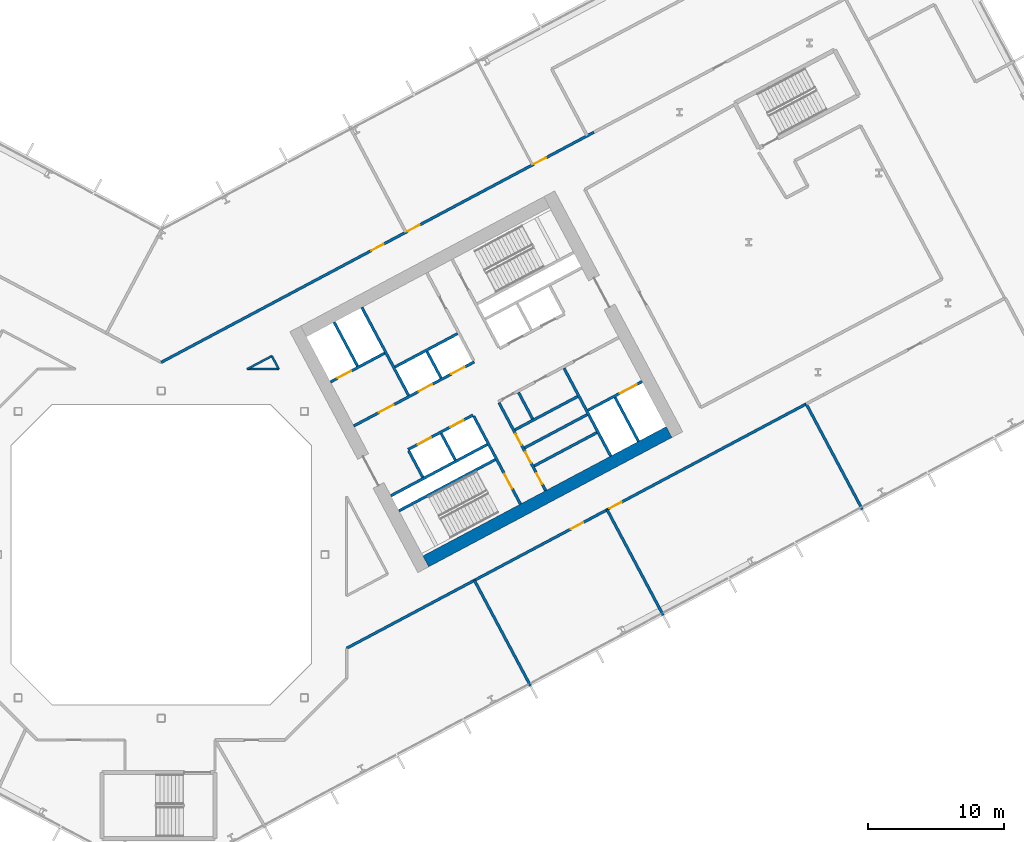
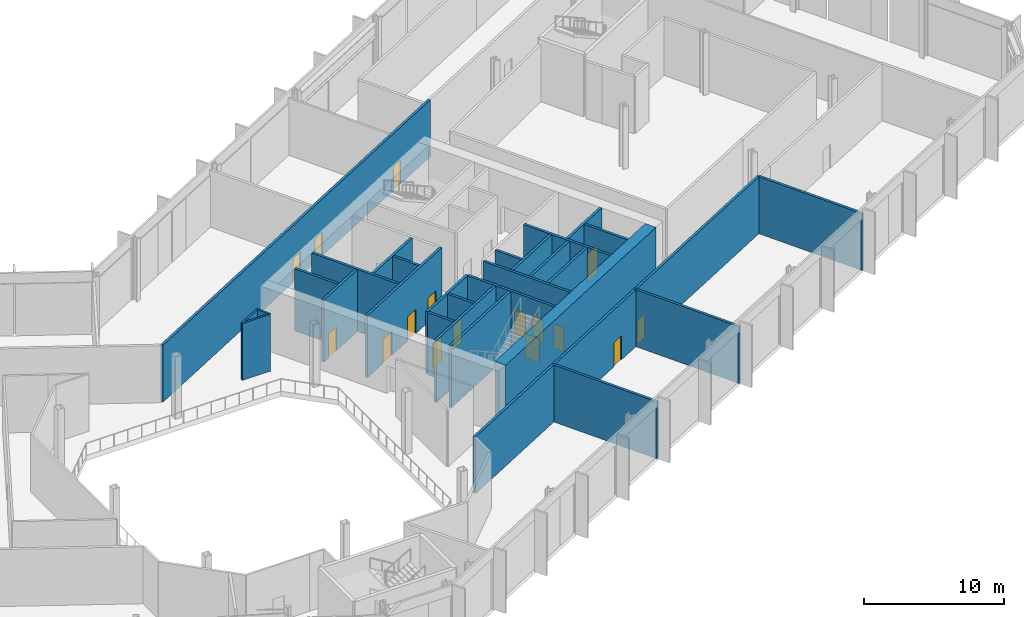
# One storey, part 15 of 31: 29 walls, 16 doors, 16 openings.
"""IFC4 building model written with IfcOpenShell, lengths in metres."""

import ifcopenshell
import ifcopenshell.guid

model = None  # the IFC model being written
_history = None  # IfcOwnerHistory: only IFC2X3 demands one
_inside = {}  # id of a spatial element -> (the spatial element, [elements in it])
_under = {}  # id of a project, library or spatial element -> (it, [spatial elements below it])
_declared = {}  # id of a project -> (the project, [libraries it declares])
_typed = {}  # id of a type object -> (the type object, [elements of that type])
_made_of = {}  # id of a material, layer set ... -> (it, [elements and type objects made of it])


def new_model(schema):
    """Start an empty IFC model of exactly this schema.

    Asked for "IFC4X3", IfcOpenShell would pick the latest addendum, in which some entities
    have other attributes; the version numbers below select the first issue.
    IFC2X3 requires an IfcOwnerHistory on every rooted entity: one is made here for all.
    """
    global model, _history
    if schema == "IFC4X3":
        model = ifcopenshell.file(schema_version=(4, 3, 0, 0))
    else:
        model = ifcopenshell.file(schema=schema)
    _inside.clear()
    _under.clear()
    _declared.clear()
    _typed.clear()
    _made_of.clear()
    _history = None
    if model.schema == "IFC2X3":
        org = make("IfcOrganization", Name="unknown")
        user = make(
            "IfcPersonAndOrganization",
            ThePerson=make("IfcPerson", FamilyName="unknown"),
            TheOrganization=org,
        )
        app = make(
            "IfcApplication",
            ApplicationDeveloper=org,
            Version="unknown",
            ApplicationFullName="unknown",
            ApplicationIdentifier="unknown",
        )
        _history = make(
            "IfcOwnerHistory",
            OwningUser=user,
            OwningApplication=app,
            ChangeAction="ADDED",
            CreationDate=0,
        )
    return model


def make(cls, **values):
    """One entity of the class cls with the attributes given. An attribute that is None is left unset."""
    return model.create_entity(
        cls, **{name: value for name, value in values.items() if value is not None}
    )


def rooted(cls, **values):
    """An entity with a GlobalId (a new one), such as an element, a storey or a relation."""
    return make(cls, GlobalId=ifcopenshell.guid.new(), OwnerHistory=_history, **values)


def si_unit(unit_type, name, prefix=None):
    """IfcSIUnit, for example si_unit("LENGTHUNIT", "METRE", prefix="MILLI")."""
    return make("IfcSIUnit", UnitType=unit_type, Prefix=prefix, Name=name)


def assignment(units):
    """IfcUnitAssignment: the units of a project."""
    return None if units is None else make("IfcUnitAssignment", Units=units)


def point(xyz):
    """IfcCartesianPoint."""
    return None if xyz is None else make("IfcCartesianPoint", Coordinates=xyz)


def direction(xyz):
    """IfcDirection."""
    return None if xyz is None else make("IfcDirection", DirectionRatios=xyz)


def frame(location, z_axis=None, x_axis=None):
    """IfcAxis2Placement3D, a coordinate frame: its origin and axes. An axis left out is left unset."""
    return make(
        "IfcAxis2Placement3D",
        Location=point(location),
        Axis=direction(z_axis),
        RefDirection=direction(x_axis),
    )


def frame_2d(location, x_axis=None):
    """IfcAxis2Placement2D, a coordinate frame in the plane: its origin and x axis."""
    return make(
        "IfcAxis2Placement2D", Location=point(location), RefDirection=direction(x_axis)
    )


def origin():
    """The frame at (0, 0, 0) with its axes left unset."""
    return frame((0.0, 0.0, 0.0))


def place(relative_to, where):
    """IfcLocalPlacement: puts the frame where relative to a parent placement (None: the world)."""
    return make(
        "IfcLocalPlacement", PlacementRelTo=relative_to, RelativePlacement=where
    )


def context(
    kind, dimensions, precision=None, world=None, true_north=None, identifier=None
):
    """IfcGeometricRepresentationContext, for example the 3D "Model" context."""
    return make(
        "IfcGeometricRepresentationContext",
        ContextIdentifier=identifier,
        ContextType=kind,
        CoordinateSpaceDimension=dimensions,
        Precision=precision,
        WorldCoordinateSystem=world,
        TrueNorth=true_north,
    )


def subcontext(parent, identifier, kind, view, scale=None):
    """IfcGeometricRepresentationSubContext, for example "Body" below "Model"."""
    return make(
        "IfcGeometricRepresentationSubContext",
        ContextIdentifier=identifier,
        ContextType=kind,
        ParentContext=parent,
        TargetScale=scale,
        TargetView=view,
    )


def project(units=None, contexts=None):
    """IfcProject with its units and contexts."""
    return rooted(
        "IfcProject",
        Name="project",
        RepresentationContexts=contexts,
        UnitsInContext=assignment(units),
    )


def spatial(cls, under=None, at=None, **own):
    """A site, building, storey or space (cls), placed at a placement, below another one or the project."""
    s = rooted(cls, ObjectPlacement=at, **own)
    if under is not None:
        _under.setdefault(under.id(), (under, []))[1].append(s)
    return s


def profile(cls, at=None, kind="AREA", **sizes):
    """A parametric profile (cls). Its sizes go by their IFC names, for example OverallWidth=200.0."""
    return make(cls, ProfileType=kind, Position=at, **sizes)


def rectangle(**sizes):
    """IfcRectangleProfileDef."""
    return profile("IfcRectangleProfileDef", **sizes)


def extrude(swept, where, along, depth):
    """IfcExtrudedAreaSolid: the profile swept, set in the frame where, extruded along a direction by depth."""
    return make(
        "IfcExtrudedAreaSolid",
        SweptArea=swept,
        Position=where,
        ExtrudedDirection=direction(along),
        Depth=depth,
    )


def shape(context_of_items, identifier, shape_type, items):
    """IfcShapeRepresentation: the items that make up one representation, for example the "Body"."""
    return make(
        "IfcShapeRepresentation",
        ContextOfItems=context_of_items,
        RepresentationIdentifier=identifier,
        RepresentationType=shape_type,
        Items=items,
    )


def material(Name=None, Category=None):
    """IfcMaterial."""
    return make("IfcMaterial", Name=Name, Category=Category)


def layer(
    of_material, thickness, ventilated=None, Name=None, Category=None, Priority=None
):
    """IfcMaterialLayer: one layer of a wall or slab, of a material (None: an air gap)."""
    return make(
        "IfcMaterialLayer",
        Material=of_material,
        LayerThickness=thickness,
        IsVentilated=ventilated,
        Name=Name,
        Category=Category,
        Priority=Priority,
    )


def layer_set(layers, Name=None):
    """IfcMaterialLayerSet."""
    return make("IfcMaterialLayerSet", MaterialLayers=layers, LayerSetName=Name)


def made_of(thing, what):
    """Note that an element or type object is made of a material, layer set ...; save() writes the relation."""
    if what is not None:
        _made_of.setdefault(what.id(), (what, []))[1].append(thing)
    return thing


def type_object(cls, material=None, **own):
    """A type object (cls), such as IfcWallType, which elements share."""
    return made_of(rooted(cls, **own), material)


def element(
    cls,
    number,
    at=None,
    inside=None,
    cuts=None,
    type_object=None,
    material=None,
    context=None,
    identifier="Body",
    shape_type=None,
    held_by="IfcProductDefinitionShape",
    body=None,
    shapes=None,
    **own,
):
    """One element of the class cls, such as IfcWall. Its Tag is "e" and its number.

    at: its placement. inside: the storey or other place that contains it. cuts: it is an
    opening in that element (IfcRelVoidsElement). A single representation is given by context,
    identifier, shape_type and body (its items); several are given by shapes. held_by: the class
    of the entity that holds the representations. save() writes the other relations.
    """
    e = rooted(cls, Tag="e%d" % number, ObjectPlacement=at, **own)
    if body is not None:
        shapes = [shape(context, identifier, shape_type, body)]
    if shapes is not None:
        e.Representation = make(held_by, Representations=shapes)
    if inside is not None:
        _inside.setdefault(inside.id(), (inside, []))[1].append(e)
    if cuts is not None:
        rooted(
            "IfcRelVoidsElement", RelatingBuildingElement=cuts, RelatedOpeningElement=e
        )
    if type_object is not None:
        _typed.setdefault(type_object.id(), (type_object, []))[1].append(e)
    return made_of(e, material)


def fill(opening, filler):
    """IfcRelFillsElement: the door or window that sits in an opening."""
    return rooted(
        "IfcRelFillsElement",
        RelatingOpeningElement=opening,
        RelatedBuildingElement=filler,
    )


def aggregate(whole, parts):
    """IfcRelAggregates: a whole, such as a stair, and the parts it consists of."""
    return rooted("IfcRelAggregates", RelatingObject=whole, RelatedObjects=parts)


def save(model, path):
    """Write the relations noted so far, then the file.

    IfcRelAggregates (storeys below a building ...), IfcRelContainedInSpatialStructure (elements
    in a storey), IfcRelDefinesByType, IfcRelAssociatesMaterial and IfcRelDeclares: one each for
    every whole, place, type object, material and project.
    """
    for whole, parts in _under.values():
        aggregate(whole, parts)
    for where, things in _inside.values():
        rooted(
            "IfcRelContainedInSpatialStructure",
            RelatedElements=things,
            RelatingStructure=where,
        )
    for kind, things in _typed.values():
        rooted("IfcRelDefinesByType", RelatedObjects=things, RelatingType=kind)
    for what, things in _made_of.values():
        rooted("IfcRelAssociatesMaterial", RelatedObjects=things, RelatingMaterial=what)
    for by, libraries in _declared.values():
        rooted("IfcRelDeclares", RelatingContext=by, RelatedDefinitions=libraries)
    model.write(path)


model = new_model("IFC4")

# Units and contexts
model_context = context("Model", 3, precision=1e-05, world=origin(), true_north=direction((0.0, 1.0)))
body_context = subcontext(model_context, "Body", "Model", "MODEL_VIEW")
ifc_project = project(units=[si_unit("LENGTHUNIT", "METRE"), si_unit("AREAUNIT", "SQUARE_METRE"), si_unit("VOLUMEUNIT", "CUBIC_METRE"), si_unit("PLANEANGLEUNIT", "RADIAN"), si_unit("MASSUNIT", "GRAM", prefix="KILO")], contexts=[model_context])

# Site, building, storey
site_placement = place(None, origin())
site = spatial("IfcSite", under=ifc_project, at=site_placement, CompositionType="ELEMENT")
building_placement = place(site_placement, origin())
building = spatial("IfcBuilding", under=site, at=building_placement, Name="Cormorant Relay Tower", CompositionType="ELEMENT")
storey_placement = place(building_placement, frame((0.0, 0.0, 50.0)))
storey = spatial("IfcBuildingStorey", under=building, at=storey_placement, Name="L09", CompositionType="ELEMENT", Elevation=50.0)

# Walls
ifc_material_1 = material(Name="Concrete 40 MPa", Category="concrete")
ifc_layer_1 = layer(ifc_material_1, 0.199951171875)
ifc_layer_set_1 = layer_set([ifc_layer_1], Name="Core internal wall 200")
wall_type_1 = type_object("IfcWallType", Name="Core internal wall 200", PredefinedType="SOLIDWALL", material=ifc_layer_set_1)
for number, where, z_axis, x_axis, name in (
    (1, (21.567626953125, 6.9375, 0.0), (0.0, 0.0, 1.0), (-0.469533832133, 0.882914480843, 0.0), "L09 core B shaft and room wall"),
    (2, (20.522216796875, 12.950439453125, 0.0), (0.0, 0.0, 1.0), (-0.469401318492, 0.882984938828, 0.0), "L09 core B shaft and room wall"),
    (3, (27.236083984375, 9.951416015625, 0.0), (0.0, 0.0, 1.0), (-0.4694473164, 0.882960484464, 0.0), "L09 core B shaft and room wall"),
):
    element("IfcWall", number, at=place(storey_placement, frame(where, z_axis=z_axis, x_axis=x_axis)), inside=storey, type_object=wall_type_1, Name=name, PredefinedType="SOLIDWALL", context=body_context, shape_type="SweptSolid", body=[
        extrude(rectangle(XDim=2.199951171875, YDim=0.199951171875, at=frame_2d((1.10009765625, 0.0))), origin(), (0.0, 0.0, 1.0), 5.39990234375),
    ])
for number, where, z_axis, x_axis, name in (
    (4, (27.349365234375, 6.500732421875, 0.0), (0.0, 0.0, 1.0), (0.882953967957, 0.469459572775, 0.0), "L09 core B shaft and room wall"),
    (5, (26.645263671875, 7.8251953125, 0.0), (0.0, 0.0, 1.0), (0.882953967957, 0.469459572775, 0.0), "L09 core B shaft and room wall"),
):
    element("IfcWall", number, at=place(storey_placement, frame(where, z_axis=z_axis, x_axis=x_axis)), inside=storey, type_object=wall_type_1, Name=name, PredefinedType="SOLIDWALL", context=body_context, shape_type="SweptSolid", body=[
        extrude(rectangle(XDim=5.199951171875, YDim=0.199951171875, at=frame_2d((2.60009765625, 0.0))), origin(), (0.0, 0.0, 1.0), 5.39990234375),
    ])
ifc_material_2 = material(Name="Concrete 50 MPa", Category="concrete")
ifc_layer_2 = layer(ifc_material_2, 0.199951171875)
ifc_layer_set_2 = layer_set([ifc_layer_2], Name="Core shaft wall 200")
wall_type_2 = type_object("IfcWallType", Name="Core shaft wall 200", PredefinedType="SHEAR", material=ifc_layer_set_2)
wall_1_placement = place(storey_placement, frame((14.39404296875, 13.825927734375, 0.0), z_axis=(0.0, 0.0, 1.0), x_axis=(-0.469494272526, 0.882935517501, 0.0)))
element("IfcWall", 6, at=wall_1_placement, inside=storey, type_object=wall_type_2, Name="L09 core B shaft wall", PredefinedType="SHEAR", context=body_context, shape_type="SweptSolid", body=[
    extrude(rectangle(XDim=3.64990234375, YDim=0.199951171875, at=frame_2d((1.824951171875, 0.0))), origin(), (0.0, 0.0, 1.0), 5.39990234375),
])
wall_2_placement = place(storey_placement, frame((19.18359375, 5.669921875, 0.0), z_axis=(0.0, 0.0, 1.0), x_axis=(-0.4694473164, 0.882960484464, 0.0)))
element("IfcWall", 7, at=wall_2_placement, inside=storey, type_object=wall_type_2, Name="L09 core B shaft wall", PredefinedType="SHEAR", context=body_context, shape_type="SweptSolid", body=[
    extrude(rectangle(XDim=2.199951171875, YDim=0.199951171875, at=frame_2d((1.10009765625, 0.0))), origin(), (0.0, 0.0, 1.0), 5.39990234375),
])
wall_3_placement = place(storey_placement, frame((18.138427734375, 11.682861328125, 0.0), z_axis=(0.0, 0.0, 1.0), x_axis=(-0.469480409012, 0.88294288918, 0.0)))
element("IfcWall", 8, at=wall_3_placement, inside=storey, type_object=wall_type_2, Name="L09 core B shaft wall", PredefinedType="SHEAR", context=body_context, shape_type="SweptSolid", body=[
    extrude(rectangle(XDim=7.300048828125, YDim=0.199951171875, at=frame_2d((3.64990234375, 0.0))), origin(), (0.0, 0.0, 1.0), 5.39990234375),
])

# Wall, opening, door
wall_4_placement = place(storey_placement, frame((26.345947265625, 3.701904296875, 0.0), z_axis=(0.0, 0.0, 1.0), x_axis=(-0.469480409012, 0.88294288918, 0.0)))
wall_4 = element("IfcWall", 9, at=wall_4_placement, inside=storey, type_object=wall_type_2, Name="L09 core B shaft wall", PredefinedType="SHEAR", context=body_context, shape_type="SweptSolid", body=[
    extrude(rectangle(XDim=7.300048828125, YDim=0.199951171875, at=frame_2d((3.64990234375, 0.0))), origin(), (0.0, 0.0, 1.0), 5.39990234375),
])
opening_1_placement = place(wall_4_placement, frame((1.300048828125, 0.0, 0.0)))
opening_1 = element("IfcOpeningElement", 10, at=opening_1_placement, cuts=wall_4, Name="Opening CDB-021", PredefinedType="OPENING", context=body_context, shape_type="SweptSolid", body=[
    extrude(rectangle(XDim=1.199951171875, YDim=2.10009765625, at=frame_2d((0.60009765625, 1.050048828125))), frame((0.0, 0.10986328125, 0.0), z_axis=(0.0, -1.0, 0.0), x_axis=(1.0, 0.0, 0.0)), (0.0, 0.0, 1.0), 0.219970703125),
])
ifc_material_3 = material(Name="Steel fire door", Category="steel")
door_type_1 = type_object("IfcDoorType", Name="Core stair door 1200x2100", OperationType="SINGLE_SWING_LEFT", PredefinedType="DOOR", material=ifc_material_3)
door_1_placement = place(opening_1_placement, origin())
door_1 = element("IfcDoor", 11, at=door_1_placement, inside=storey, type_object=door_type_1, Name="Core stair door 1200x2100", OperationType="SINGLE_SWING_RIGHT", OverallHeight=2.10009765625, OverallWidth=1.199951171875, PredefinedType="DOOR", context=body_context, shape_type="SweptSolid", body=[
    extrude(rectangle(XDim=1.199951171875, YDim=2.10009765625, at=frame_2d((0.60009765625, 1.050048828125))), frame((0.0, 0.02490234375, 0.0), z_axis=(0.0, -1.0, 0.0), x_axis=(1.0, 0.0, 0.0)), (0.0, 0.0, 1.0), 0.050048828125),
])
fill(opening_1, door_1)

# Wall, openings, doors
wall_5_placement = place(storey_placement, frame((28.199951171875, 4.687744140625, 0.0), z_axis=(0.0, 0.0, 1.0), x_axis=(-0.469454336211, 0.882956752176, 0.0)))
wall_5 = element("IfcWall", 12, at=wall_5_placement, inside=storey, type_object=wall_type_2, Name="L09 core B shaft wall", PredefinedType="SHEAR", context=body_context, shape_type="SweptSolid", body=[
    extrude(rectangle(XDim=7.300048828125, YDim=0.199951171875, at=frame_2d((3.64990234375, 0.0))), origin(), (0.0, 0.0, 1.0), 5.39990234375),
])
opening_2_placement = place(wall_5_placement, frame((0.550048828125, 0.0, 0.0)))
opening_2 = element("IfcOpeningElement", 13, at=opening_2_placement, cuts=wall_5, Name="Opening CDD-078", PredefinedType="OPENING", context=body_context, shape_type="SweptSolid", body=[
    extrude(rectangle(XDim=0.89990234375, YDim=2.10009765625, at=frame_2d((0.449951171875, 1.050048828125))), frame((0.0, 0.10986328125, 0.0), z_axis=(0.0, -1.0, 0.0), x_axis=(1.0, 0.0, 0.0)), (0.0, 0.0, 1.0), 0.219970703125),
])
opening_3_placement = place(wall_5_placement, frame((2.300048828125, 0.0, 0.0)))
opening_3 = element("IfcOpeningElement", 14, at=opening_3_placement, cuts=wall_5, Name="Opening CDD-079", PredefinedType="OPENING", context=body_context, shape_type="SweptSolid", body=[
    extrude(rectangle(XDim=0.89990234375, YDim=2.10009765625, at=frame_2d((0.449951171875, 1.050048828125))), frame((0.0, 0.10986328125, 0.0), z_axis=(0.0, -1.0, 0.0), x_axis=(1.0, 0.0, 0.0)), (0.0, 0.0, 1.0), 0.219970703125),
])
opening_4_placement = place(wall_5_placement, frame((3.800048828125, 0.0, 0.0)))
opening_4 = element("IfcOpeningElement", 15, at=opening_4_placement, cuts=wall_5, Name="Opening CDD-080", PredefinedType="OPENING", context=body_context, shape_type="SweptSolid", body=[
    extrude(rectangle(XDim=0.89990234375, YDim=2.10009765625, at=frame_2d((0.449951171875, 1.050048828125))), frame((0.0, 0.10986328125, 0.0), z_axis=(0.0, -1.0, 0.0), x_axis=(1.0, 0.0, 0.0)), (0.0, 0.0, 1.0), 0.219970703125),
])
ifc_material_4 = material(Name="Steel fire door", Category="steel")
door_type_2 = type_object("IfcDoorType", Name="Core room door 900x2100", OperationType="SINGLE_SWING_LEFT", PredefinedType="DOOR", material=ifc_material_4)
door_2_placement = place(opening_2_placement, frame((0.89990234375, 0.0, 0.0), z_axis=(0.0, 0.0, 1.0), x_axis=(-1.0, 0.0, 0.0)))
door_2 = element("IfcDoor", 16, at=door_2_placement, inside=storey, type_object=door_type_2, Name="Core room door 900x2100", OperationType="SINGLE_SWING_LEFT", OverallHeight=2.10009765625, OverallWidth=0.89990234375, PredefinedType="DOOR", context=body_context, shape_type="SweptSolid", body=[
    extrude(rectangle(XDim=0.89990234375, YDim=2.10009765625, at=frame_2d((0.449951171875, 1.050048828125))), frame((0.0, 0.02490234375, 0.0), z_axis=(0.0, -1.0, 0.0), x_axis=(1.0, 0.0, 0.0)), (0.0, 0.0, 1.0), 0.050048828125),
])
fill(opening_2, door_2)
door_3_placement = place(opening_3_placement, frame((0.89990234375, 0.0, 0.0), z_axis=(0.0, 0.0, 1.0), x_axis=(-1.0, 0.0, 0.0)))
door_3 = element("IfcDoor", 17, at=door_3_placement, inside=storey, type_object=door_type_2, Name="Core room door 900x2100", OperationType="SINGLE_SWING_LEFT", OverallHeight=2.10009765625, OverallWidth=0.89990234375, PredefinedType="DOOR", context=body_context, shape_type="SweptSolid", body=[
    extrude(rectangle(XDim=0.89990234375, YDim=2.10009765625, at=frame_2d((0.449951171875, 1.050048828125))), frame((0.0, 0.02490234375, 0.0), z_axis=(0.0, -1.0, 0.0), x_axis=(1.0, 0.0, 0.0)), (0.0, 0.0, 1.0), 0.050048828125),
])
fill(opening_3, door_3)
door_4_placement = place(opening_4_placement, frame((0.89990234375, 0.0, 0.0), z_axis=(0.0, 0.0, 1.0), x_axis=(-1.0, 0.0, 0.0)))
door_4 = element("IfcDoor", 18, at=door_4_placement, inside=storey, type_object=door_type_2, Name="Core room door 900x2100", OperationType="SINGLE_SWING_LEFT", OverallHeight=2.10009765625, OverallWidth=0.89990234375, PredefinedType="DOOR", context=body_context, shape_type="SweptSolid", body=[
    extrude(rectangle(XDim=0.89990234375, YDim=2.10009765625, at=frame_2d((0.449951171875, 1.050048828125))), frame((0.0, 0.02490234375, 0.0), z_axis=(0.0, -1.0, 0.0), x_axis=(1.0, 0.0, 0.0)), (0.0, 0.0, 1.0), 0.050048828125),
])
fill(opening_4, door_4)

# Walls
wall_6_placement = place(storey_placement, frame((32.968017578125, 7.222900390625, 0.0), z_axis=(0.0, 0.0, 1.0), x_axis=(-0.469480409012, 0.88294288918, 0.0)))
element("IfcWall", 19, at=wall_6_placement, inside=storey, type_object=wall_type_2, Name="L09 core B shaft wall", PredefinedType="SHEAR", context=body_context, shape_type="SweptSolid", body=[
    extrude(rectangle(XDim=7.300048828125, YDim=0.199951171875, at=frame_2d((3.64990234375, 0.0))), origin(), (0.0, 0.0, 1.0), 5.39990234375),
])
wall_7_placement = place(storey_placement, frame((34.998779296875, 8.302734375, 0.0), z_axis=(0.0, 0.0, 1.0), x_axis=(-0.4694665462, 0.882950260207, 0.0)))
element("IfcWall", 20, at=wall_7_placement, inside=storey, type_object=wall_type_2, Name="L09 core B shaft wall", PredefinedType="SHEAR", context=body_context, shape_type="SweptSolid", body=[
    extrude(rectangle(XDim=3.650146484375, YDim=0.199951171875, at=frame_2d((1.8251953125, 0.0))), origin(), (0.0, 0.0, 1.0), 5.39990234375),
])
wall_8_placement = place(storey_placement, frame((17.43359375, 3.210205078125, 0.0), z_axis=(0.0, 0.0, 1.0), x_axis=(0.882940221191, 0.469485426614, 0.0)))
element("IfcWall", 21, at=wall_8_placement, inside=storey, type_object=wall_type_2, Name="L09 core B shaft wall", PredefinedType="SHEAR", context=body_context, shape_type="SweptSolid", body=[
    extrude(rectangle(XDim=8.0, YDim=0.199951171875, at=frame_2d((4.0, 0.0))), origin(), (0.0, 0.0, 1.0), 5.39990234375),
])

# Wall, opening, door
wall_9_placement = place(storey_placement, frame((31.295654296875, 10.5810546875, 0.0), z_axis=(0.0, 0.0, 1.0), x_axis=(0.882960433586, 0.469447412093, 0.0)))
wall_9 = element("IfcWall", 22, at=wall_9_placement, inside=storey, type_object=wall_type_2, Name="L09 core B shaft wall", PredefinedType="SHEAR", context=body_context, shape_type="SweptSolid", body=[
    extrude(rectangle(XDim=4.5, YDim=0.199951171875, at=frame_2d((2.25, 0.0))), origin(), (0.0, 0.0, 1.0), 5.39990234375),
])
opening_5_placement = place(wall_9_placement, frame((2.64990234375, 0.0, 0.0)))
opening_5 = element("IfcOpeningElement", 23, at=opening_5_placement, cuts=wall_9, Name="Opening LD3-008", PredefinedType="OPENING", context=body_context, shape_type="SweptSolid", body=[
    extrude(rectangle(XDim=1.39990234375, YDim=2.39990234375, at=frame_2d((0.699951171875, 1.199951171875))), frame((0.0, 0.10986328125, 0.0), z_axis=(0.0, -1.0, 0.0), x_axis=(1.0, 0.0, 0.0)), (0.0, 0.0, 1.0), 0.219970703125),
])
ifc_material_5 = material(Name="Stainless steel 316", Category="steel")
door_type_3 = type_object("IfcDoorType", Name="Lift landing door 1400x2400", OperationType="DOUBLE_DOOR_SLIDING", PredefinedType="DOOR", material=ifc_material_5)
door_5_placement = place(opening_5_placement, origin())
door_5 = element("IfcDoor", 24, at=door_5_placement, inside=storey, type_object=door_type_3, Name="SV2 landing door", OperationType="DOUBLE_DOOR_SLIDING", OverallHeight=2.39990234375, OverallWidth=1.39990234375, PredefinedType="DOOR", context=body_context, shape_type="SweptSolid", body=[
    extrude(rectangle(XDim=1.39990234375, YDim=2.39990234375, at=frame_2d((0.699951171875, 1.199951171875))), frame((0.0, 0.02490234375, 0.0), z_axis=(0.0, -1.0, 0.0), x_axis=(1.0, 0.0, 0.0)), (0.0, 0.0, 1.0), 0.050048828125),
])
fill(opening_5, door_5)

# Walls
wall_10_placement = place(storey_placement, frame((16.8466796875, 4.31396484375, 0.0), z_axis=(0.0, 0.0, 1.0), x_axis=(0.882940221191, 0.469485426614, 0.0)))
element("IfcWall", 25, at=wall_10_placement, inside=storey, type_object=wall_type_2, Name="L09 core B shaft wall", PredefinedType="SHEAR", context=body_context, shape_type="SweptSolid", body=[
    extrude(rectangle(XDim=8.0, YDim=0.199951171875, at=frame_2d((4.0, 0.0))), origin(), (0.0, 0.0, 1.0), 5.39990234375),
])
wall_11_placement = place(storey_placement, frame((25.94091796875, 9.149658203125, 0.0), z_axis=(0.0, 0.0, 1.0), x_axis=(0.882953967957, 0.469459572775, 0.0)))
element("IfcWall", 26, at=wall_11_placement, inside=storey, type_object=wall_type_2, Name="L09 core B shaft wall", PredefinedType="SHEAR", context=body_context, shape_type="SweptSolid", body=[
    extrude(rectangle(XDim=5.199951171875, YDim=0.199951171875, at=frame_2d((2.60009765625, 0.0))), origin(), (0.0, 0.0, 1.0), 5.39990234375),
])

# Wall, openings, doors
wall_12_placement = place(storey_placement, frame((18.103759765625, 7.70068359375, 0.0), z_axis=(0.0, 0.0, 1.0), x_axis=(0.882952937579, 0.469461510692, 0.0)))
wall_12 = element("IfcWall", 27, at=wall_12_placement, inside=storey, type_object=wall_type_2, Name="L09 core B shaft wall", PredefinedType="SHEAR", context=body_context, shape_type="SweptSolid", body=[
    extrude(rectangle(XDim=5.400146484375, YDim=0.199951171875, at=frame_2d((2.7001953125, 0.0))), origin(), (0.0, 0.0, 1.0), 5.39990234375),
])
opening_6_placement = place(wall_12_placement, frame((0.800048828125, 0.0, 0.0)))
opening_6 = element("IfcOpeningElement", 28, at=opening_6_placement, cuts=wall_12, Name="Opening LD1-024", PredefinedType="OPENING", context=body_context, shape_type="SweptSolid", body=[
    extrude(rectangle(XDim=1.10009765625, YDim=2.10009765625, at=frame_2d((0.550048828125, 1.050048828125))), frame((0.0, 0.10986328125, 0.0), z_axis=(0.0, -1.0, 0.0), x_axis=(1.0, 0.0, 0.0)), (0.0, 0.0, 1.0), 0.219970703125),
])
opening_7_placement = place(wall_12_placement, frame((3.5, 0.0, 0.0)))
opening_7 = element("IfcOpeningElement", 29, at=opening_7_placement, cuts=wall_12, Name="Opening LD1-025", PredefinedType="OPENING", context=body_context, shape_type="SweptSolid", body=[
    extrude(rectangle(XDim=1.10009765625, YDim=2.10009765625, at=frame_2d((0.550048828125, 1.050048828125))), frame((0.0, 0.10986328125, 0.0), z_axis=(0.0, -1.0, 0.0), x_axis=(1.0, 0.0, 0.0)), (0.0, 0.0, 1.0), 0.219970703125),
])
ifc_material_6 = material(Name="Stainless steel 316", Category="steel")
door_type_4 = type_object("IfcDoorType", Name="Lift landing door 1100x2100", OperationType="DOUBLE_DOOR_SLIDING", PredefinedType="DOOR", material=ifc_material_6)
door_6_placement = place(opening_6_placement, origin())
door_6 = element("IfcDoor", 30, at=door_6_placement, inside=storey, type_object=door_type_4, Name="LR5 landing door", OperationType="DOUBLE_DOOR_SLIDING", OverallHeight=2.10009765625, OverallWidth=1.10009765625, PredefinedType="DOOR", context=body_context, shape_type="SweptSolid", body=[
    extrude(rectangle(XDim=1.10009765625, YDim=2.10009765625, at=frame_2d((0.550048828125, 1.050048828125))), frame((0.0, 0.02490234375, 0.0), z_axis=(0.0, -1.0, 0.0), x_axis=(1.0, 0.0, 0.0)), (0.0, 0.0, 1.0), 0.050048828125),
])
fill(opening_6, door_6)
door_7_placement = place(opening_7_placement, origin())
door_7 = element("IfcDoor", 31, at=door_7_placement, inside=storey, type_object=door_type_4, Name="LR6 landing door", OperationType="DOUBLE_DOOR_SLIDING", OverallHeight=2.10009765625, OverallWidth=1.10009765625, PredefinedType="DOOR", context=body_context, shape_type="SweptSolid", body=[
    extrude(rectangle(XDim=1.10009765625, YDim=2.10009765625, at=frame_2d((0.550048828125, 1.050048828125))), frame((0.0, 0.02490234375, 0.0), z_axis=(0.0, -1.0, 0.0), x_axis=(1.0, 0.0, 0.0)), (0.0, 0.0, 1.0), 0.050048828125),
])
fill(opening_7, door_7)

wall_13_placement = place(storey_placement, frame((14.123779296875, 9.43505859375, 0.0), z_axis=(0.0, 0.0, 1.0), x_axis=(0.882940221191, 0.469485426614, 0.0)))
wall_13 = element("IfcWall", 32, at=wall_13_placement, inside=storey, type_object=wall_type_2, Name="L09 core B shaft wall", PredefinedType="SHEAR", context=body_context, shape_type="SweptSolid", body=[
    extrude(rectangle(XDim=10.0, YDim=0.199951171875, at=frame_2d((5.0, 0.0))), origin(), (0.0, 0.0, 1.0), 5.39990234375),
])
opening_8_placement = place(wall_13_placement, frame((2.10009765625, 0.0, 0.0)))
opening_8 = element("IfcOpeningElement", 33, at=opening_8_placement, cuts=wall_13, Name="Opening CDC-015", PredefinedType="OPENING", context=body_context, shape_type="SweptSolid", body=[
    extrude(rectangle(XDim=1.199951171875, YDim=2.10009765625, at=frame_2d((0.60009765625, 1.050048828125))), frame((0.0, 0.10986328125, 0.0), z_axis=(0.0, -1.0, 0.0), x_axis=(1.0, 0.0, 0.0)), (0.0, 0.0, 1.0), 0.219970703125),
])
opening_9_placement = place(wall_13_placement, frame((5.39990234375, 0.0, 0.0)))
opening_9 = element("IfcOpeningElement", 34, at=opening_9_placement, cuts=wall_13, Name="Opening LD1-020", PredefinedType="OPENING", context=body_context, shape_type="SweptSolid", body=[
    extrude(rectangle(XDim=1.10009765625, YDim=2.10009765625, at=frame_2d((0.550048828125, 1.050048828125))), frame((0.0, 0.10986328125, 0.0), z_axis=(0.0, -1.0, 0.0), x_axis=(1.0, 0.0, 0.0)), (0.0, 0.0, 1.0), 0.219970703125),
])
opening_10_placement = place(wall_13_placement, frame((8.10009765625, 0.0, 0.0)))
opening_10 = element("IfcOpeningElement", 35, at=opening_10_placement, cuts=wall_13, Name="Opening LD1-021", PredefinedType="OPENING", context=body_context, shape_type="SweptSolid", body=[
    extrude(rectangle(XDim=1.10009765625, YDim=2.10009765625, at=frame_2d((0.550048828125, 1.050048828125))), frame((0.0, 0.10986328125, 0.0), z_axis=(0.0, -1.0, 0.0), x_axis=(1.0, 0.0, 0.0)), (0.0, 0.0, 1.0), 0.219970703125),
])
ifc_material_7 = material(Name="Steel fire door", Category="steel")
door_type_5 = type_object("IfcDoorType", Name="Core lobby door 1200x2100", OperationType="SINGLE_SWING_LEFT", PredefinedType="DOOR", material=ifc_material_7)
door_8_placement = place(opening_8_placement, origin())
door_8 = element("IfcDoor", 36, at=door_8_placement, inside=storey, type_object=door_type_5, Name="Core lobby door 1200x2100", OperationType="SINGLE_SWING_RIGHT", OverallHeight=2.10009765625, OverallWidth=1.199951171875, PredefinedType="DOOR", context=body_context, shape_type="SweptSolid", body=[
    extrude(rectangle(XDim=1.199951171875, YDim=2.10009765625, at=frame_2d((0.60009765625, 1.050048828125))), frame((0.0, 0.02490234375, 0.0), z_axis=(0.0, -1.0, 0.0), x_axis=(1.0, 0.0, 0.0)), (0.0, 0.0, 1.0), 0.050048828125),
])
fill(opening_8, door_8)
door_9_placement = place(opening_9_placement, origin())
door_9 = element("IfcDoor", 37, at=door_9_placement, inside=storey, type_object=door_type_4, Name="LR1 landing door", OperationType="DOUBLE_DOOR_SLIDING", OverallHeight=2.10009765625, OverallWidth=1.10009765625, PredefinedType="DOOR", context=body_context, shape_type="SweptSolid", body=[
    extrude(rectangle(XDim=1.10009765625, YDim=2.10009765625, at=frame_2d((0.550048828125, 1.050048828125))), frame((0.0, 0.02490234375, 0.0), z_axis=(0.0, -1.0, 0.0), x_axis=(1.0, 0.0, 0.0)), (0.0, 0.0, 1.0), 0.050048828125),
])
fill(opening_9, door_9)
door_10_placement = place(opening_10_placement, origin())
door_10 = element("IfcDoor", 38, at=door_10_placement, inside=storey, type_object=door_type_4, Name="LR2 landing door", OperationType="DOUBLE_DOOR_SLIDING", OverallHeight=2.10009765625, OverallWidth=1.10009765625, PredefinedType="DOOR", context=body_context, shape_type="SweptSolid", body=[
    extrude(rectangle(XDim=1.10009765625, YDim=2.10009765625, at=frame_2d((0.550048828125, 1.050048828125))), frame((0.0, 0.02490234375, 0.0), z_axis=(0.0, -1.0, 0.0), x_axis=(1.0, 0.0, 0.0)), (0.0, 0.0, 1.0), 0.050048828125),
])
fill(opening_10, door_10)

# Wall
wall_14_placement = place(storey_placement, frame((17.146728515625, 13.7607421875, 0.0), z_axis=(0.0, 0.0, 1.0), x_axis=(0.882964314875, 0.469440111896, 0.0)))
element("IfcWall", 39, at=wall_14_placement, inside=storey, type_object=wall_type_2, Name="L09 core B shaft wall", PredefinedType="SHEAR", context=body_context, shape_type="SweptSolid", body=[
    extrude(rectangle(XDim=5.2001953125, YDim=0.199951171875, at=frame_2d((2.60009765625, 0.0))), origin(), (0.0, 0.0, 1.0), 5.39990234375),
])

# Wall, opening, door
wall_15_placement = place(storey_placement, frame((12.41015625, 12.657958984375, 0.0), z_axis=(0.0, 0.0, 1.0), x_axis=(0.8829484765, 0.469469900894, 0.0)))
wall_15 = element("IfcWall", 40, at=wall_15_placement, inside=storey, type_object=wall_type_2, Name="L09 core B shaft wall", PredefinedType="SHEAR", context=body_context, shape_type="SweptSolid", body=[
    extrude(rectangle(XDim=4.499755859375, YDim=0.199951171875, at=frame_2d((2.25, 0.0))), origin(), (0.0, 0.0, 1.0), 5.39990234375),
])
opening_11_placement = place(wall_15_placement, frame((0.60009765625, 0.0, 0.0)))
opening_11 = element("IfcOpeningElement", 41, at=opening_11_placement, cuts=wall_15, Name="Opening LD1-026", PredefinedType="OPENING", context=body_context, shape_type="SweptSolid", body=[
    extrude(rectangle(XDim=1.10009765625, YDim=2.10009765625, at=frame_2d((0.550048828125, 1.050048828125))), frame((0.0, 0.10986328125, 0.0), z_axis=(0.0, -1.0, 0.0), x_axis=(1.0, 0.0, 0.0)), (0.0, 0.0, 1.0), 0.219970703125),
])
door_11_placement = place(opening_11_placement, origin())
door_11 = element("IfcDoor", 42, at=door_11_placement, inside=storey, type_object=door_type_4, Name="FF2 landing door", OperationType="DOUBLE_DOOR_SLIDING", OverallHeight=2.10009765625, OverallWidth=1.10009765625, PredefinedType="DOOR", context=body_context, shape_type="SweptSolid", body=[
    extrude(rectangle(XDim=1.10009765625, YDim=2.10009765625, at=frame_2d((0.550048828125, 1.050048828125))), frame((0.0, 0.02490234375, 0.0), z_axis=(0.0, -1.0, 0.0), x_axis=(1.0, 0.0, 0.0)), (0.0, 0.0, 1.0), 0.050048828125),
])
fill(opening_11, door_11)

# Wall
ifc_material_8 = material(Name="Concrete 70 MPa", Category="concrete")
ifc_layer_3 = layer(ifc_material_8, 0.89990234375)
ifc_layer_set_3 = layer_set([ifc_layer_3], Name="Core wall 900")
wall_type_3 = type_object("IfcWallType", Name="Core wall 900", PredefinedType="SHEAR", material=ifc_layer_set_3)
wall_16_placement = place(storey_placement, frame((19.4052734375, -0.498046875, 0.0), z_axis=(0.0, 0.0, 1.0), x_axis=(0.88294509198, 0.469476266226, 0.0)))
element("IfcWall", 43, at=wall_16_placement, inside=storey, type_object=wall_type_3, Name="L09 core B wall", PredefinedType="SHEAR", context=body_context, shape_type="SweptSolid", body=[
    extrude(rectangle(XDim=20.199951171875, YDim=0.89990234375, at=frame_2d((10.10009765625, 0.0))), origin(), (0.0, 0.0, 1.0), 5.39990234375),
])

# Wall, openings, doors
ifc_material_9 = material(Name="Fire-rated gypsum board partition")
ifc_layer_4 = layer(ifc_material_9, 0.199951171875)
ifc_layer_set_4 = layer_set([ifc_layer_4], Name="Fire-rated gypsum partition 200")
wall_type_4 = type_object("IfcWallType", Name="Fire-rated gypsum partition 200", PredefinedType="PARTITIONING", material=ifc_layer_set_4)
wall_17_placement = place(storey_placement, frame((0.0, 14.10009765625, 0.0), z_axis=(0.0, 0.0, 1.0), x_axis=(0.882945550769, 0.469475403378, 0.0)))
wall_17 = element("IfcWall", 44, at=wall_17_placement, inside=storey, type_object=wall_type_4, Name="wall/L09/part/33", PredefinedType="PARTITIONING", context=body_context, shape_type="SweptSolid", body=[
    extrude(rectangle(XDim=35.9375, YDim=0.199951171875, at=frame_2d((17.96875, 0.0))), origin(), (0.0, 0.0, 1.0), 4.949951171875),
])
opening_12_placement = place(wall_17_placement, frame((30.949951171875, 0.0, 0.0)))
opening_12 = element("IfcOpeningElement", 45, at=opening_12_placement, cuts=wall_17, Name="Opening FD1-058", PredefinedType="OPENING", context=body_context, shape_type="SweptSolid", body=[
    extrude(rectangle(XDim=1.0, YDim=2.10009765625, at=frame_2d((0.5, 1.050048828125))), frame((0.0, 0.10986328125, 0.0), z_axis=(0.0, -1.0, 0.0), x_axis=(1.0, 0.0, 0.0)), (0.0, 0.0, 1.0), 0.219970703125),
])
opening_13_placement = place(wall_17_placement, frame((20.449951171875, 0.0, 0.0)))
opening_13 = element("IfcOpeningElement", 46, at=opening_13_placement, cuts=wall_17, Name="Opening FD1-059", PredefinedType="OPENING", context=body_context, shape_type="SweptSolid", body=[
    extrude(rectangle(XDim=1.0, YDim=2.10009765625, at=frame_2d((0.5, 1.050048828125))), frame((0.0, 0.10986328125, 0.0), z_axis=(0.0, -1.0, 0.0), x_axis=(1.0, 0.0, 0.0)), (0.0, 0.0, 1.0), 0.219970703125),
])
opening_14_placement = place(wall_17_placement, frame((17.449951171875, 0.0, 0.0)))
opening_14 = element("IfcOpeningElement", 47, at=opening_14_placement, cuts=wall_17, Name="Opening FD1-048", PredefinedType="OPENING", context=body_context, shape_type="SweptSolid", body=[
    extrude(rectangle(XDim=1.0, YDim=2.10009765625, at=frame_2d((0.5, 1.050048828125))), frame((0.0, 0.10986328125, 0.0), z_axis=(0.0, -1.0, 0.0), x_axis=(1.0, 0.0, 0.0)), (0.0, 0.0, 1.0), 0.219970703125),
])
ifc_material_10 = material(Name="Fire-rated steel door", Category="steel")
door_type_6 = type_object("IfcDoorType", Name="Fire door 1000 x 2100", OperationType="SINGLE_SWING_LEFT", PredefinedType="DOOR", material=ifc_material_10)
door_12_placement = place(opening_12_placement, origin())
door_12 = element("IfcDoor", 48, at=door_12_placement, inside=storey, type_object=door_type_6, Name="door/L09/8", OperationType="SINGLE_SWING_LEFT", OverallHeight=2.10009765625, OverallWidth=1.0, PredefinedType="DOOR", context=body_context, shape_type="SweptSolid", body=[
    extrude(rectangle(XDim=1.0, YDim=2.10009765625, at=frame_2d((0.5, 1.050048828125))), frame((0.0, 0.02490234375, 0.0), z_axis=(0.0, -1.0, 0.0), x_axis=(1.0, 0.0, 0.0)), (0.0, 0.0, 1.0), 0.050048828125),
])
fill(opening_12, door_12)
door_13_placement = place(opening_13_placement, origin())
door_13 = element("IfcDoor", 49, at=door_13_placement, inside=storey, type_object=door_type_6, Name="door/L09/9", OperationType="SINGLE_SWING_LEFT", OverallHeight=2.10009765625, OverallWidth=1.0, PredefinedType="DOOR", context=body_context, shape_type="SweptSolid", body=[
    extrude(rectangle(XDim=1.0, YDim=2.10009765625, at=frame_2d((0.5, 1.050048828125))), frame((0.0, 0.02490234375, 0.0), z_axis=(0.0, -1.0, 0.0), x_axis=(1.0, 0.0, 0.0)), (0.0, 0.0, 1.0), 0.050048828125),
])
fill(opening_13, door_13)
door_14_placement = place(opening_14_placement, origin())
door_14 = element("IfcDoor", 50, at=door_14_placement, inside=storey, type_object=door_type_6, Name="door/L09/10", OperationType="SINGLE_SWING_LEFT", OverallHeight=2.10009765625, OverallWidth=1.0, PredefinedType="DOOR", context=body_context, shape_type="SweptSolid", body=[
    extrude(rectangle(XDim=1.0, YDim=2.10009765625, at=frame_2d((0.5, 1.050048828125))), frame((0.0, 0.02490234375, 0.0), z_axis=(0.0, -1.0, 0.0), x_axis=(1.0, 0.0, 0.0)), (0.0, 0.0, 1.0), 0.050048828125),
])
fill(opening_14, door_14)

# Wall
wall_18_placement = place(storey_placement, frame((22.968017578125, -1.887939453125, 0.0), z_axis=(0.0, 0.0, 1.0), x_axis=(0.469461194384, -0.882953105758, 0.0)))
element("IfcWall", 51, at=wall_18_placement, inside=storey, type_object=wall_type_4, Name="wall/L09/part/57", PredefinedType="PARTITIONING", context=body_context, shape_type="SweptSolid", body=[
    extrude(rectangle(XDim=8.750244140625, YDim=0.199951171875, at=frame_2d((4.375, 0.0))), origin(), (0.0, 0.0, 1.0), 4.949951171875),
])

# Wall, openings, doors
wall_19_placement = place(storey_placement, frame((47.301025390625, 11.050048828125, 0.0), z_axis=(0.0, 0.0, 1.0), x_axis=(-0.882949285086, -0.469468380155, 0.0)))
wall_19 = element("IfcWall", 52, at=wall_19_placement, inside=storey, type_object=wall_type_4, Name="wall/L09/part/58", PredefinedType="PARTITIONING", context=body_context, shape_type="SweptSolid", body=[
    extrude(rectangle(XDim=38.168701171875, YDim=0.199951171875, at=frame_2d((19.08447265625, 0.0))), origin(), (0.0, 0.0, 1.0), 4.949951171875),
])
opening_15_placement = place(wall_19_placement, frame((18.550048828125, 0.0, 0.0)))
opening_15 = element("IfcOpeningElement", 53, at=opening_15_placement, cuts=wall_19, Name="Opening FD1-054", PredefinedType="OPENING", context=body_context, shape_type="SweptSolid", body=[
    extrude(rectangle(XDim=1.0, YDim=2.10009765625, at=frame_2d((0.5, 1.050048828125))), frame((0.0, 0.10986328125, 0.0), z_axis=(0.0, -1.0, 0.0), x_axis=(1.0, 0.0, 0.0)), (0.0, 0.0, 1.0), 0.219970703125),
])
opening_16_placement = place(wall_19_placement, frame((15.35009765625, 0.0, 0.0)))
opening_16 = element("IfcOpeningElement", 54, at=opening_16_placement, cuts=wall_19, Name="Opening FD1-055", PredefinedType="OPENING", context=body_context, shape_type="SweptSolid", body=[
    extrude(rectangle(XDim=1.0, YDim=2.10009765625, at=frame_2d((0.5, 1.050048828125))), frame((0.0, 0.10986328125, 0.0), z_axis=(0.0, -1.0, 0.0), x_axis=(1.0, 0.0, 0.0)), (0.0, 0.0, 1.0), 0.219970703125),
])
door_15_placement = place(opening_15_placement, origin())
door_15 = element("IfcDoor", 55, at=door_15_placement, inside=storey, type_object=door_type_6, Name="door/L09/4", OperationType="SINGLE_SWING_RIGHT", OverallHeight=2.10009765625, OverallWidth=1.0, PredefinedType="DOOR", context=body_context, shape_type="SweptSolid", body=[
    extrude(rectangle(XDim=1.0, YDim=2.10009765625, at=frame_2d((0.5, 1.050048828125))), frame((0.0, 0.02490234375, 0.0), z_axis=(0.0, -1.0, 0.0), x_axis=(1.0, 0.0, 0.0)), (0.0, 0.0, 1.0), 0.050048828125),
])
fill(opening_15, door_15)
door_16_placement = place(opening_16_placement, origin())
door_16 = element("IfcDoor", 56, at=door_16_placement, inside=storey, type_object=door_type_6, Name="door/L09/5", OperationType="SINGLE_SWING_RIGHT", OverallHeight=2.10009765625, OverallWidth=1.0, PredefinedType="DOOR", context=body_context, shape_type="SweptSolid", body=[
    extrude(rectangle(XDim=1.0, YDim=2.10009765625, at=frame_2d((0.5, 1.050048828125))), frame((0.0, 0.02490234375, 0.0), z_axis=(0.0, -1.0, 0.0), x_axis=(1.0, 0.0, 0.0)), (0.0, 0.0, 1.0), 0.050048828125),
])
fill(opening_16, door_16)

# Walls
wall_20_placement = place(storey_placement, frame((36.80908203125, -4.43896484375, 0.0), z_axis=(0.0, 0.0, 1.0), x_axis=(-0.469482945701, 0.882941540361, 0.0)))
element("IfcWall", 57, at=wall_20_placement, inside=storey, type_object=wall_type_4, Name="wall/L09/part/64", PredefinedType="PARTITIONING", context=body_context, shape_type="SweptSolid", body=[
    extrude(rectangle(XDim=8.75048828125, YDim=0.199951171875, at=frame_2d((4.375244140625, 0.0))), origin(), (0.0, 0.0, 1.0), 4.949951171875),
])
wall_21_placement = place(storey_placement, frame((47.301025390625, 11.050048828125, 0.0), z_axis=(0.0, 0.0, 1.0), x_axis=(0.469461194384, -0.882953105758, 0.0)))
element("IfcWall", 58, at=wall_21_placement, inside=storey, type_object=wall_type_4, Name="wall/L09/part/65", PredefinedType="PARTITIONING", context=body_context, shape_type="SweptSolid", body=[
    extrude(rectangle(XDim=8.750244140625, YDim=0.199951171875, at=frame_2d((4.375, 0.0))), origin(), (0.0, 0.0, 1.0), 4.949951171875),
])
ifc_material_11 = material(Name="Gypsum board partition")
ifc_layer_5 = layer(ifc_material_11, 0.14990234375)
ifc_layer_set_5 = layer_set([ifc_layer_5], Name="Gypsum board partition 150")
wall_type_5 = type_object("IfcWallType", Name="Gypsum board partition 150", PredefinedType="PARTITIONING", material=ifc_layer_set_5)
wall_22_placement = place(storey_placement, frame((8.625, 13.60009765625, 0.0), z_axis=(0.0, 0.0, 1.0), x_axis=(-0.469460742142, 0.882953346212, 0.0)))
element("IfcWall", 59, at=wall_22_placement, inside=storey, type_object=wall_type_5, Name="wall/L09/part/85", PredefinedType="PARTITIONING", context=body_context, shape_type="SweptSolid", body=[
    extrude(rectangle(XDim=1.090576171875, YDim=0.14990234375, at=frame_2d((0.54541015625, 0.0))), origin(), (0.0, 0.0, 1.0), 4.949951171875),
])
wall_23_placement = place(storey_placement, frame((8.113037109375, 14.56298828125, 0.0), z_axis=(0.0, 0.0, 1.0), x_axis=(-0.88306333775, -0.469253813539, 0.0)))
element("IfcWall", 60, at=wall_23_placement, inside=storey, type_object=wall_type_5, Name="wall/L09/part/86", PredefinedType="PARTITIONING", context=body_context, shape_type="SweptSolid", body=[
    extrude(rectangle(XDim=2.052001953125, YDim=0.14990234375, at=frame_2d((1.02587890625, 0.0))), origin(), (0.0, 0.0, 1.0), 4.949951171875),
])
wall_24_placement = place(storey_placement, frame((6.301025390625, 13.60009765625, 0.0), z_axis=(0.0, 0.0, 1.0), x_axis=(1.0, 0.0, 0.0)))
element("IfcWall", 61, at=wall_24_placement, inside=storey, type_object=wall_type_5, Name="wall/L09/part/87", PredefinedType="PARTITIONING", context=body_context, shape_type="SweptSolid", body=[
    extrude(rectangle(XDim=2.323974609375, YDim=0.14990234375, at=frame_2d((1.162109375, 0.0))), origin(), (0.0, 0.0, 1.0), 4.949951171875),
])

save(model, "model.ifc")
